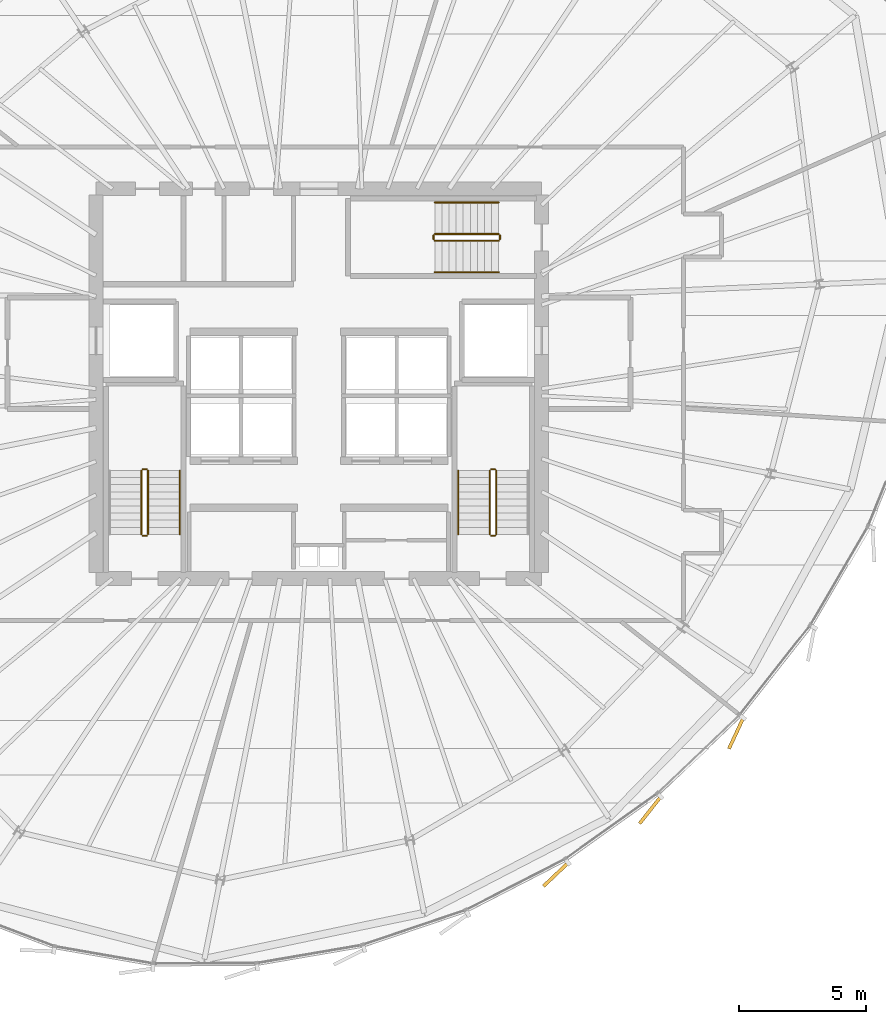
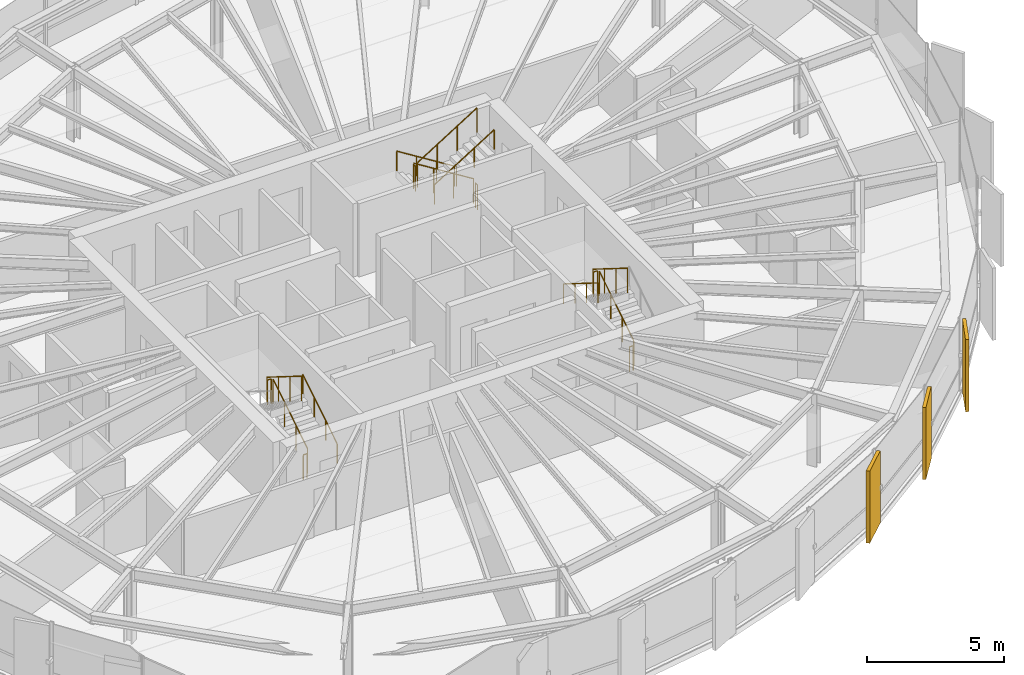
# One storey, part 34 of 35: 16 railings, 3 coverings.
"""IFC4 building model written with IfcOpenShell, lengths in metres."""

from ifc_helpers import new_model, si_unit, direction, frame, origin, origin_2d, place, context, subcontext, project, spatial, rectangle, circle, extrude, source, transform, mapped, material, layer, layer_set, type_object, element, save


model = new_model("IFC4")

# Units and contexts
model_context = context("Model", 3, precision=1e-05, world=origin(), true_north=direction((0.0, 1.0)))
body_context = subcontext(model_context, "Body", "Model", "MODEL_VIEW")
ifc_project = project(units=[si_unit("LENGTHUNIT", "METRE"), si_unit("AREAUNIT", "SQUARE_METRE"), si_unit("VOLUMEUNIT", "CUBIC_METRE"), si_unit("PLANEANGLEUNIT", "RADIAN"), si_unit("MASSUNIT", "GRAM", prefix="KILO"), si_unit("THERMODYNAMICTEMPERATUREUNIT", "KELVIN")], contexts=[model_context])

# Site, building, storey
site_placement = place(None, origin())
site = spatial("IfcSite", under=ifc_project, at=site_placement, CompositionType="ELEMENT")
building_placement = place(site_placement, origin())
building = spatial("IfcBuilding", under=site, at=building_placement, Name="Kethvar Cultural Tower", CompositionType="ELEMENT")
storey_placement = place(building_placement, frame((0.0, 0.0, 193.89990234375)))
storey = spatial("IfcBuildingStorey", under=building, at=storey_placement, Name="L50", CompositionType="ELEMENT", Elevation=193.89990234375)

# Railings
ifc_material_1 = material(Name="Steel S355J2", Category="steel")
railing_type_1 = type_object("IfcRailingType", Name="RL-STAIR-GUARD", PredefinedType="BALUSTRADE", material=ifc_material_1)
railing_1_placement = place(storey_placement, frame((40.050048828125, 21.85009765625, 0.175048828125)))
element("IfcRailing", 1, at=railing_1_placement, inside=storey, type_object=railing_type_1, Name="L50 ST-01 stair guard 1", PredefinedType="BALUSTRADE", context=body_context, shape_type="SweptSolid", body=[
    extrude(circle(Radius=0.02392578125, at=origin_2d()), frame((0.0, 0.0, 1.09619140625), z_axis=(0.0, 0.848007534815, 0.529984170421), x_axis=(-1.0, 0.0, 0.0)), (0.0, 0.0, 1.0), 2.9716796875),
    extrude(circle(Radius=0.02099609375, at=origin_2d()), origin(), (0.0, 0.0, 1.0), 1.072021484375),
    extrude(circle(Radius=0.02099609375, at=origin_2d()), frame((0.0, 0.840087890625, 0.52490234375)), (0.0, 0.0, 1.0), 1.072021484375),
    extrude(circle(Radius=0.02099609375, at=origin_2d()), frame((0.0, 1.679931640625, 1.050048828125)), (0.0, 0.0, 1.0), 1.072021484375),
    extrude(circle(Radius=0.02099609375, at=origin_2d()), frame((0.0, 2.52001953125, 1.574951171875)), (0.0, 0.0, 1.0), 1.072021484375),
])
railing_2_placement = place(storey_placement, frame((40.0, 24.419921875, 1.75)))
element("IfcRailing", 2, at=railing_2_placement, inside=storey, type_object=railing_type_1, Name="L50 ST-01 stair guard 2", PredefinedType="BALUSTRADE", context=body_context, shape_type="SweptSolid", body=[
    extrude(circle(Radius=0.02392578125, at=origin_2d()), frame((0.0, 0.0, 1.09619140625), z_axis=(-1.0, 0.0, 0.0), x_axis=(0.0, -1.0, 0.0)), (0.0, 0.0, 1.0), 0.159912109375),
    extrude(circle(Radius=0.02099609375, at=origin_2d()), origin(), (0.0, 0.0, 1.0), 1.072021484375),
    extrude(circle(Radius=0.02099609375, at=origin_2d()), frame((-0.159912109375, 0.0, 0.0)), (0.0, 0.0, 1.0), 1.072021484375),
])
railing_3_placement = place(storey_placement, frame((39.7900390625, 24.3701171875, 1.925048828125)))
element("IfcRailing", 3, at=railing_3_placement, inside=storey, type_object=railing_type_1, Name="L50 ST-01 stair guard 3", PredefinedType="BALUSTRADE", context=body_context, shape_type="SweptSolid", body=[
    extrude(circle(Radius=0.02392578125, at=origin_2d()), frame((0.0, 0.0, 1.09619140625), z_axis=(0.0, -0.848007534815, 0.529984170421), x_axis=(1.0, 0.0, 0.0)), (0.0, 0.0, 1.0), 2.9716796875),
    extrude(circle(Radius=0.02099609375, at=origin_2d()), origin(), (0.0, 0.0, 1.0), 1.072021484375),
    extrude(circle(Radius=0.02099609375, at=origin_2d()), frame((0.0, -0.840087890625, 0.52490234375)), (0.0, 0.0, 1.0), 1.072021484375),
    extrude(circle(Radius=0.02099609375, at=origin_2d()), frame((0.0, -1.679931640625, 1.050048828125)), (0.0, 0.0, 1.0), 1.072021484375),
    extrude(circle(Radius=0.02099609375, at=origin_2d()), frame((0.0, -2.52001953125, 1.574951171875)), (0.0, 0.0, 1.0), 1.072021484375),
])
railing_4_placement = place(storey_placement, frame((40.0, 21.800048828125, 0.0)))
element("IfcRailing", 4, at=railing_4_placement, inside=storey, type_object=railing_type_1, Name="L50 ST-01 stair guard 4", PredefinedType="BALUSTRADE", context=body_context, shape_type="SweptSolid", body=[
    extrude(circle(Radius=0.02392578125, at=origin_2d()), frame((0.0, 0.0, 1.09619140625), z_axis=(-1.0, 0.0, 0.0), x_axis=(0.0, -1.0, 0.0)), (0.0, 0.0, 1.0), 0.159912109375),
    extrude(circle(Radius=0.02099609375, at=origin_2d()), origin(), (0.0, 0.0, 1.0), 1.072021484375),
    extrude(circle(Radius=0.02099609375, at=origin_2d()), frame((-0.159912109375, 0.0, 0.0)), (0.0, 0.0, 1.0), 1.072021484375),
])
railing_5_placement = place(storey_placement, frame((53.81005859375, 21.85009765625, 0.175048828125)))
element("IfcRailing", 5, at=railing_5_placement, inside=storey, type_object=railing_type_1, Name="L50 ST-02 stair guard 1", PredefinedType="BALUSTRADE", context=body_context, shape_type="SweptSolid", body=[
    extrude(circle(Radius=0.02392578125, at=origin_2d()), frame((0.0, 0.0, 1.09619140625), z_axis=(0.0, 0.848007534815, 0.529984170421), x_axis=(-1.0, 0.0, 0.0)), (0.0, 0.0, 1.0), 2.9716796875),
    extrude(circle(Radius=0.02099609375, at=origin_2d()), origin(), (0.0, 0.0, 1.0), 1.072021484375),
    extrude(circle(Radius=0.02099609375, at=origin_2d()), frame((0.0, 0.840087890625, 0.52490234375)), (0.0, 0.0, 1.0), 1.072021484375),
    extrude(circle(Radius=0.02099609375, at=origin_2d()), frame((0.0, 1.679931640625, 1.050048828125)), (0.0, 0.0, 1.0), 1.072021484375),
    extrude(circle(Radius=0.02099609375, at=origin_2d()), frame((0.0, 2.52001953125, 1.574951171875)), (0.0, 0.0, 1.0), 1.072021484375),
])
railing_6_placement = place(storey_placement, frame((53.760009765625, 24.419921875, 1.75)))
element("IfcRailing", 6, at=railing_6_placement, inside=storey, type_object=railing_type_1, Name="L50 ST-02 stair guard 2", PredefinedType="BALUSTRADE", context=body_context, shape_type="SweptSolid", body=[
    extrude(circle(Radius=0.02392578125, at=origin_2d()), frame((0.0, 0.0, 1.09619140625), z_axis=(-1.0, 0.0, 0.0), x_axis=(0.0, -1.0, 0.0)), (0.0, 0.0, 1.0), 0.159912109375),
    extrude(circle(Radius=0.02099609375, at=origin_2d()), origin(), (0.0, 0.0, 1.0), 1.072021484375),
    extrude(circle(Radius=0.02099609375, at=origin_2d()), frame((-0.159912109375, 0.0, 0.0)), (0.0, 0.0, 1.0), 1.072021484375),
])
railing_7_placement = place(storey_placement, frame((53.550048828125, 24.3701171875, 1.925048828125)))
element("IfcRailing", 7, at=railing_7_placement, inside=storey, type_object=railing_type_1, Name="L50 ST-02 stair guard 3", PredefinedType="BALUSTRADE", context=body_context, shape_type="SweptSolid", body=[
    extrude(circle(Radius=0.02392578125, at=origin_2d()), frame((0.0, 0.0, 1.09619140625), z_axis=(0.0, -0.848007534815, 0.529984170421), x_axis=(1.0, 0.0, 0.0)), (0.0, 0.0, 1.0), 2.9716796875),
    extrude(circle(Radius=0.02099609375, at=origin_2d()), origin(), (0.0, 0.0, 1.0), 1.072021484375),
    extrude(circle(Radius=0.02099609375, at=origin_2d()), frame((0.0, -0.840087890625, 0.52490234375)), (0.0, 0.0, 1.0), 1.072021484375),
    extrude(circle(Radius=0.02099609375, at=origin_2d()), frame((0.0, -1.679931640625, 1.050048828125)), (0.0, 0.0, 1.0), 1.072021484375),
    extrude(circle(Radius=0.02099609375, at=origin_2d()), frame((0.0, -2.52001953125, 1.574951171875)), (0.0, 0.0, 1.0), 1.072021484375),
])
railing_8_placement = place(storey_placement, frame((53.760009765625, 21.800048828125, 0.0)))
element("IfcRailing", 8, at=railing_8_placement, inside=storey, type_object=railing_type_1, Name="L50 ST-02 stair guard 4", PredefinedType="BALUSTRADE", context=body_context, shape_type="SweptSolid", body=[
    extrude(circle(Radius=0.02392578125, at=origin_2d()), frame((0.0, 0.0, 1.09619140625), z_axis=(-1.0, 0.0, 0.0), x_axis=(0.0, -1.0, 0.0)), (0.0, 0.0, 1.0), 0.159912109375),
    extrude(circle(Radius=0.02099609375, at=origin_2d()), origin(), (0.0, 0.0, 1.0), 1.072021484375),
    extrude(circle(Radius=0.02099609375, at=origin_2d()), frame((-0.159912109375, 0.0, 0.0)), (0.0, 0.0, 1.0), 1.072021484375),
])
railing_9_placement = place(storey_placement, frame((53.89990234375, 33.7099609375, 0.175048828125)))
element("IfcRailing", 9, at=railing_9_placement, inside=storey, type_object=railing_type_1, Name="L50 ST-03 stair guard 1", PredefinedType="BALUSTRADE", context=body_context, shape_type="SweptSolid", body=[
    extrude(circle(Radius=0.02392578125, at=origin_2d()), frame((0.0, 0.0, 1.09619140625), z_axis=(-0.848007534815, 0.0, 0.529984170421), x_axis=(0.0, -1.0, 0.0)), (0.0, 0.0, 1.0), 2.9716796875),
    extrude(circle(Radius=0.02099609375, at=origin_2d()), origin(), (0.0, 0.0, 1.0), 1.072021484375),
    extrude(circle(Radius=0.02099609375, at=origin_2d()), frame((-0.840087890625, 0.0, 0.52490234375)), (0.0, 0.0, 1.0), 1.072021484375),
    extrude(circle(Radius=0.02099609375, at=origin_2d()), frame((-1.679931640625, 0.0, 1.050048828125)), (0.0, 0.0, 1.0), 1.072021484375),
    extrude(circle(Radius=0.02099609375, at=origin_2d()), frame((-2.52001953125, 0.0, 1.574951171875)), (0.0, 0.0, 1.0), 1.072021484375),
])
railing_10_placement = place(storey_placement, frame((51.330078125, 33.659912109375, 1.75)))
element("IfcRailing", 10, at=railing_10_placement, inside=storey, type_object=railing_type_1, Name="L50 ST-03 stair guard 2", PredefinedType="BALUSTRADE", context=body_context, shape_type="SweptSolid", body=[
    extrude(circle(Radius=0.02392578125, at=origin_2d()), frame((0.0, 0.0, 1.09619140625), z_axis=(0.0, -1.0, 0.0), x_axis=(1.0, 0.0, 0.0)), (0.0, 0.0, 1.0), 0.159912109375),
    extrude(circle(Radius=0.02099609375, at=origin_2d()), origin(), (0.0, 0.0, 1.0), 1.072021484375),
    extrude(circle(Radius=0.02099609375, at=origin_2d()), frame((0.0, -0.159912109375, 0.0)), (0.0, 0.0, 1.0), 1.072021484375),
])
railing_11_placement = place(storey_placement, frame((51.3798828125, 33.449951171875, 1.925048828125)))
element("IfcRailing", 11, at=railing_11_placement, inside=storey, type_object=railing_type_1, Name="L50 ST-03 stair guard 3", PredefinedType="BALUSTRADE", context=body_context, shape_type="SweptSolid", body=[
    extrude(circle(Radius=0.02392578125, at=origin_2d()), frame((0.0, 0.0, 1.09619140625), z_axis=(0.848007534815, 0.0, 0.529984170421), x_axis=(0.0, 1.0, 0.0)), (0.0, 0.0, 1.0), 2.9716796875),
    extrude(circle(Radius=0.02099609375, at=origin_2d()), origin(), (0.0, 0.0, 1.0), 1.072021484375),
    extrude(circle(Radius=0.02099609375, at=origin_2d()), frame((0.840087890625, 0.0, 0.52490234375)), (0.0, 0.0, 1.0), 1.072021484375),
    extrude(circle(Radius=0.02099609375, at=origin_2d()), frame((1.679931640625, 0.0, 1.050048828125)), (0.0, 0.0, 1.0), 1.072021484375),
    extrude(circle(Radius=0.02099609375, at=origin_2d()), frame((2.52001953125, 0.0, 1.574951171875)), (0.0, 0.0, 1.0), 1.072021484375),
])
railing_12_placement = place(storey_placement, frame((53.949951171875, 33.659912109375, 0.0)))
element("IfcRailing", 12, at=railing_12_placement, inside=storey, type_object=railing_type_1, Name="L50 ST-03 stair guard 4", PredefinedType="BALUSTRADE", context=body_context, shape_type="SweptSolid", body=[
    extrude(circle(Radius=0.02392578125, at=origin_2d()), frame((0.0, 0.0, 1.09619140625), z_axis=(0.0, -1.0, 0.0), x_axis=(1.0, 0.0, 0.0)), (0.0, 0.0, 1.0), 0.159912109375),
    extrude(circle(Radius=0.02099609375, at=origin_2d()), origin(), (0.0, 0.0, 1.0), 1.072021484375),
    extrude(circle(Radius=0.02099609375, at=origin_2d()), frame((0.0, -0.159912109375, 0.0)), (0.0, 0.0, 1.0), 1.072021484375),
])
railing_type_2 = type_object("IfcRailingType", Name="RL-STAIR-HANDRAIL", PredefinedType="HANDRAIL", material=ifc_material_1)
railing_13_placement = place(storey_placement, frame((41.300048828125, 21.85009765625, 0.175048828125)))
element("IfcRailing", 13, at=railing_13_placement, inside=storey, type_object=railing_type_2, Name="L50 ST-01 stair handrail 1", PredefinedType="HANDRAIL", context=body_context, shape_type="SweptSolid", body=[
    extrude(circle(Radius=0.02392578125, at=origin_2d()), frame((0.0, 0.0, 0.8759765625), z_axis=(0.0, 0.848007534815, 0.529984170421), x_axis=(-1.0, 0.0, 0.0)), (0.0, 0.0, 1.0), 2.9716796875),
    extrude(circle(Radius=0.02099609375, at=origin_2d()), origin(), (0.0, 0.0, 1.0), 0.851806640625),
    extrude(circle(Radius=0.02099609375, at=origin_2d()), frame((0.0, 0.840087890625, 0.52490234375)), (0.0, 0.0, 1.0), 0.851806640625),
    extrude(circle(Radius=0.02099609375, at=origin_2d()), frame((0.0, 1.679931640625, 1.050048828125)), (0.0, 0.0, 1.0), 0.851806640625),
    extrude(circle(Radius=0.02099609375, at=origin_2d()), frame((0.0, 2.52001953125, 1.574951171875)), (0.0, 0.0, 1.0), 0.851806640625),
])
railing_14_placement = place(storey_placement, frame((52.300048828125, 24.3701171875, 1.925048828125)))
element("IfcRailing", 14, at=railing_14_placement, inside=storey, type_object=railing_type_2, Name="L50 ST-02 stair handrail 2", PredefinedType="HANDRAIL", context=body_context, shape_type="SweptSolid", body=[
    extrude(circle(Radius=0.02392578125, at=origin_2d()), frame((0.0, 0.0, 0.8759765625), z_axis=(0.0, -0.848007534815, 0.529984170421), x_axis=(1.0, 0.0, 0.0)), (0.0, 0.0, 1.0), 2.9716796875),
    extrude(circle(Radius=0.02099609375, at=origin_2d()), origin(), (0.0, 0.0, 1.0), 0.851806640625),
    extrude(circle(Radius=0.02099609375, at=origin_2d()), frame((0.0, -0.840087890625, 0.52490234375)), (0.0, 0.0, 1.0), 0.851806640625),
    extrude(circle(Radius=0.02099609375, at=origin_2d()), frame((0.0, -1.679931640625, 1.050048828125)), (0.0, 0.0, 1.0), 0.851806640625),
    extrude(circle(Radius=0.02099609375, at=origin_2d()), frame((0.0, -2.52001953125, 1.574951171875)), (0.0, 0.0, 1.0), 0.851806640625),
])
railing_15_placement = place(storey_placement, frame((53.89990234375, 34.9599609375, 0.175048828125)))
element("IfcRailing", 15, at=railing_15_placement, inside=storey, type_object=railing_type_2, Name="L50 ST-03 stair handrail 1", PredefinedType="HANDRAIL", context=body_context, shape_type="SweptSolid", body=[
    extrude(circle(Radius=0.02392578125, at=origin_2d()), frame((0.0, 0.0, 0.8759765625), z_axis=(-0.848007534815, 0.0, 0.529984170421), x_axis=(0.0, -1.0, 0.0)), (0.0, 0.0, 1.0), 2.9716796875),
    extrude(circle(Radius=0.02099609375, at=origin_2d()), origin(), (0.0, 0.0, 1.0), 0.851806640625),
    extrude(circle(Radius=0.02099609375, at=origin_2d()), frame((-0.840087890625, 0.0, 0.52490234375)), (0.0, 0.0, 1.0), 0.851806640625),
    extrude(circle(Radius=0.02099609375, at=origin_2d()), frame((-1.679931640625, 0.0, 1.050048828125)), (0.0, 0.0, 1.0), 0.851806640625),
    extrude(circle(Radius=0.02099609375, at=origin_2d()), frame((-2.52001953125, 0.0, 1.574951171875)), (0.0, 0.0, 1.0), 0.851806640625),
])
railing_16_placement = place(storey_placement, frame((51.3798828125, 32.199951171875, 1.925048828125)))
element("IfcRailing", 16, at=railing_16_placement, inside=storey, type_object=railing_type_2, Name="L50 ST-03 stair handrail 2", PredefinedType="HANDRAIL", context=body_context, shape_type="SweptSolid", body=[
    extrude(circle(Radius=0.02392578125, at=origin_2d()), frame((0.0, 0.0, 0.8759765625), z_axis=(0.848007534815, 0.0, 0.529984170421), x_axis=(0.0, 1.0, 0.0)), (0.0, 0.0, 1.0), 2.9716796875),
    extrude(circle(Radius=0.02099609375, at=origin_2d()), origin(), (0.0, 0.0, 1.0), 0.851806640625),
    extrude(circle(Radius=0.02099609375, at=origin_2d()), frame((0.840087890625, 0.0, 0.52490234375)), (0.0, 0.0, 1.0), 0.851806640625),
    extrude(circle(Radius=0.02099609375, at=origin_2d()), frame((1.679931640625, 0.0, 1.050048828125)), (0.0, 0.0, 1.0), 0.851806640625),
    extrude(circle(Radius=0.02099609375, at=origin_2d()), frame((2.52001953125, 0.0, 1.574951171875)), (0.0, 0.0, 1.0), 0.851806640625),
])

# Coverings
ifc_material_2 = material(Name="Extruded Architectural Terracotta", Category="masonry")
ifc_layer = layer(ifc_material_2, 0.135009765625, Name="Extruded Architectural Terracotta", Category="masonry")
ifc_layer_set = layer_set([ifc_layer], Name="Extruded Architectural Terracotta (135 mm)")
covering_type = type_object("IfcCoveringType", Name="Terracotta Facade Fin FIN-03", PredefinedType="CLADDING", material=ifc_layer_set)
shared_shape = source(origin(), body_context, "Body", "SweptSolid", [
    extrude(rectangle(XDim=1.35009765625, YDim=0.135009765625, at=origin_2d()), origin(), (0.0, 0.0, 1.0), 3.219970703125),
])
for number, where, z_axis, x_axis, name in (
    (17, (56.15771484375, 8.41162109375, 0.02001953125), (0.0, 0.0, 1.0), (-0.725374371012, -0.688354575694, 0.0), "L50 Vertical Terracotta Fin 5.3"),
    (18, (59.885498046875, 10.95556640625, 0.02001953125), (0.0, 0.0, 1.0), (-0.620052932662, -0.784559979031, 0.0), "L50 Vertical Terracotta Fin 5.4"),
    (19, (63.281494140625, 13.990234375, 0.02001953125), (0.0, 0.0, 1.0), (-0.421985436606, -0.906602609357, 0.0), "L50 Vertical Terracotta Fin 5.5"),
):
    element("IfcCovering", number, at=place(storey_placement, frame(where, z_axis=z_axis, x_axis=x_axis)), inside=storey, type_object=covering_type, Name=name, PredefinedType="CLADDING", context=body_context, shape_type="MappedRepresentation", body=[
        mapped(shared_shape, transform((0.0, 0.0, 0.0), scale=1.0)),
    ])

save(model, "model.ifc")
